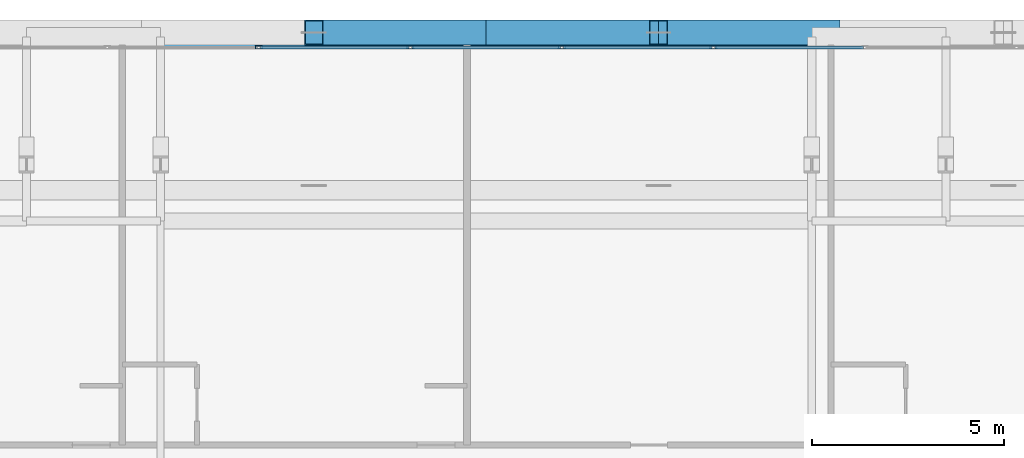
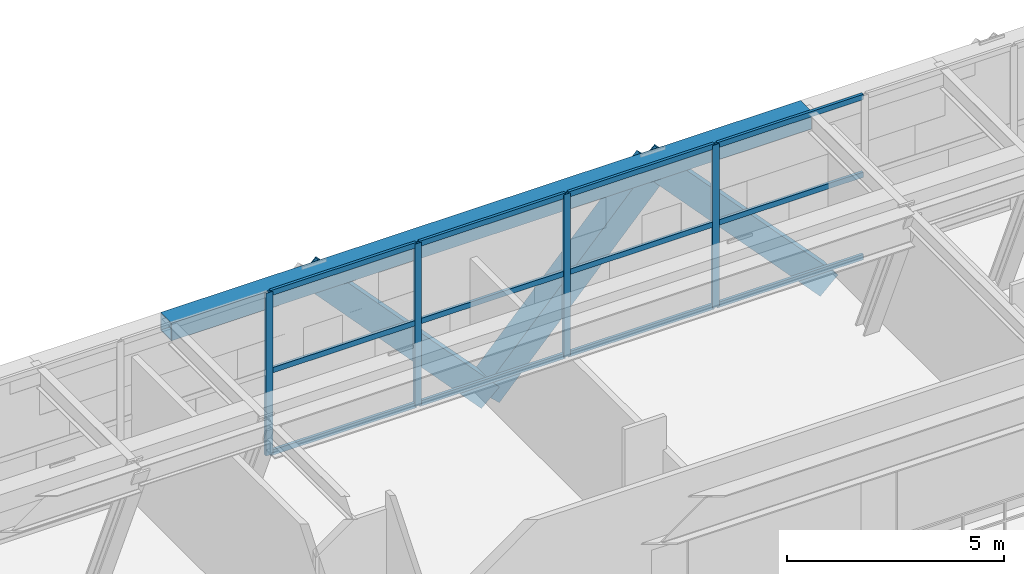
# One storey, part 20 of 35: 19 members, 1 beam, 1 element without a shape of its own.
"""IFC4 building model written with IfcOpenShell, lengths in metres."""

from ifc_helpers import new_model, si_unit, direction, frame, origin, origin_2d, place, context, subcontext, project, spatial, hollow_rectangle, extrude, source, transform, mapped, material, layer, layer_set, material_profile, profile_set, type_object, element, aggregate, save


model = new_model("IFC4")

# Units and contexts
model_context = context("Model", 3, precision=1e-05, world=origin(), true_north=direction((0.0, 1.0)))
body_context = subcontext(model_context, "Body", "Model", "MODEL_VIEW")
ifc_project = project(units=[si_unit("LENGTHUNIT", "METRE"), si_unit("AREAUNIT", "SQUARE_METRE"), si_unit("VOLUMEUNIT", "CUBIC_METRE"), si_unit("PLANEANGLEUNIT", "RADIAN"), si_unit("MASSUNIT", "GRAM", prefix="KILO")], contexts=[model_context])

# Site, building, storey
site_placement = place(None, origin())
site = spatial("IfcSite", under=ifc_project, at=site_placement, CompositionType="ELEMENT")
building_placement = place(site_placement, origin())
building = spatial("IfcBuilding", under=site, at=building_placement, Name="Ocotamira Hotel", CompositionType="ELEMENT")
storey_placement = place(building_placement, frame((0.0, 0.0, 158.39990234375)))
storey = spatial("IfcBuildingStorey", under=building, at=storey_placement, Name="L39", CompositionType="ELEMENT", Elevation=158.39990234375)

# Beam
ifc_material_1 = material(Name="Steel ASTM A500 Grade C", Category="steel")
ifc_material_profile_1 = material_profile(ifc_material_1, hollow_rectangle(XDim=0.5, YDim=0.5, WallThickness=0.02001953125, at=origin_2d()), Name="HSS500X500X20")
ifc_profile_set_1 = profile_set([ifc_material_profile_1], Name="Steel ASTM A500 Grade C")
beam_type = type_object("IfcBeamType", Name="BM-SPAN-HSS500", PredefinedType="USERDEFINED", material=ifc_profile_set_1)
shared_shape_1 = source(origin(), body_context, "Body", "SweptSolid", [
    extrude(hollow_rectangle(XDim=0.5, YDim=0.5, WallThickness=0.02001953125, at=origin_2d()), origin(), (0.0, 0.0, 1.0), 17.0),
])
beam_placement = place(storey_placement, frame((23.5, 49.85009765625, 4.320068359375), z_axis=(1.0, 0.0, 0.0), x_axis=(0.0, 1.0, 0.0)))
element("IfcBeam", 1, at=beam_placement, inside=storey, type_object=beam_type, Name="L39 Edge Spandrel N X23.5-40.5", ObjectType="SPANDREL", PredefinedType="USERDEFINED", context=body_context, shape_type="MappedRepresentation", body=[
    mapped(shared_shape_1, transform((0.0, 0.0, 0.0), scale=1.0)),
])

# Members
ifc_material_2 = material(Name="Pale-metal coated steel ASTM A913 Grade 65", Category="steel")
ifc_material_profile_2 = material_profile(ifc_material_2, hollow_rectangle(XDim=0.64990234375, YDim=0.64990234375, WallThickness=0.02197265625, at=origin_2d()), Name="BOX650X650X22")
ifc_profile_set_2 = profile_set([ifc_material_profile_2], Name="Pale-metal coated steel ASTM A913 Grade 65")
member_type_1 = type_object("IfcMemberType", Name="MEM-EXO-BOX650", PredefinedType="BRACE", material=ifc_profile_set_2)
shared_shape_2 = source(origin(), body_context, "Body", "SweptSolid", [
    extrude(hollow_rectangle(XDim=0.64990234375, YDim=0.64990234375, WallThickness=0.02197265625, at=origin_2d()), origin(), (0.0, 0.0, 1.0), 6.615966796875),
])
for number, where, z_axis, x_axis, name in (
    (2, (32.0, 49.969970703125, -0.52978515625), (-0.680172214763, 0.0, 0.73305235711), (0.0, -1.0, 0.0), "L39 Exoskeleton Diagrid N1.2"),
    (3, (32.0, 49.969970703125, -0.52978515625), (0.680172214763, 0.0, 0.73305235711), (0.0, 1.0, 0.0), "L39 Exoskeleton Diagrid N2.1"),
    (4, (41.0, 49.969970703125, -0.52978515625), (-0.680172214763, 0.0, 0.73305235711), (0.0, -1.0, 0.0), "L39 Exoskeleton Diagrid N2.2"),
):
    element("IfcMember", number, at=place(storey_placement, frame(where, z_axis=z_axis, x_axis=x_axis)), inside=storey, type_object=member_type_1, Name=name, PredefinedType="BRACE", context=body_context, shape_type="MappedRepresentation", body=[
        mapped(shared_shape_2, transform((0.0, 0.0, 0.0), scale=1.0)),
    ])

# Curtain wall, members
ifc_material_3 = material(Name="Anodised pale-metal aluminium and solar glass", Category="aluminium")
ifc_layer = layer(ifc_material_3, 0.239990234375)
ifc_layer_set = layer_set([ifc_layer], Name="Anodised pale-metal aluminium and solar glass")
curtain_wall_type = type_object("IfcCurtainWallType", Name="CW-SYS5-SKY", PredefinedType="NOTDEFINED", material=ifc_layer_set)
curtain_wall_placement = place(storey_placement, origin())
curtain_wall = element("IfcCurtainWall", 5, at=curtain_wall_placement, inside=storey, type_object=curtain_wall_type, Name="L39 Curtain Wall CW-5 CW-L39-N", PredefinedType="NOTDEFINED")
ifc_material_4 = material(Name="Anodised pale-metal aluminium 6063-T6", Category="aluminium")
ifc_material_profile_3 = material_profile(ifc_material_4, hollow_rectangle(XDim=0.074951171875, YDim=0.14990234375, WallThickness=0.006103515625, at=origin_2d()), Name="HSS150X75X6")
ifc_profile_set_3 = profile_set([ifc_material_profile_3], Name="Anodised pale-metal aluminium 6063-T6")
member_type_2 = type_object("IfcMemberType", Name="CWT-150X75", PredefinedType="USERDEFINED", material=ifc_profile_set_3)
shared_shape_3 = source(origin(), body_context, "Body", "SweptSolid", [
    extrude(hollow_rectangle(XDim=0.074951171875, YDim=0.14990234375, WallThickness=0.006103515625, at=origin_2d()), origin(), (0.0, 0.0, 1.0), 3.87548828125),
])
member_1_placement = place(storey_placement, frame((26.106689453125, 49.580078125, 0.03759765625), z_axis=(1.0, 0.0, 0.0), x_axis=(0.0, 1.0, 0.0)))
member_1 = element("IfcMember", 6, at=member_1_placement, type_object=member_type_2, Name="CW-5 transom 4.1", ObjectType="TRANSOM", PredefinedType="USERDEFINED", context=body_context, shape_type="MappedRepresentation", body=[
    mapped(shared_shape_3, transform((0.0, 0.0, 0.0), scale=1.0)),
])
member_2_placement = place(storey_placement, frame((26.106689453125, 49.580078125, 2.35009765625), z_axis=(1.0, 0.0, 0.0), x_axis=(0.0, 1.0, 0.0)))
member_2 = element("IfcMember", 7, at=member_2_placement, type_object=member_type_2, Name="CW-5 transom 4.2", ObjectType="TRANSOM", PredefinedType="USERDEFINED", context=body_context, shape_type="MappedRepresentation", body=[
    mapped(shared_shape_3, transform((0.0, 0.0, 0.0), scale=1.0)),
])
member_3_placement = place(storey_placement, frame((26.106689453125, 49.580078125, 4.53271484375), z_axis=(1.0, 0.0, 0.0), x_axis=(0.0, 1.0, 0.0)))
member_3 = element("IfcMember", 8, at=member_3_placement, type_object=member_type_2, Name="CW-5 transom 4.3", ObjectType="TRANSOM", PredefinedType="USERDEFINED", context=body_context, shape_type="MappedRepresentation", body=[
    mapped(shared_shape_3, transform((0.0, 0.0, 0.0), scale=1.0)),
])
member_4_placement = place(storey_placement, frame((30.062255859375, 49.580078125, 0.03759765625), z_axis=(1.0, 0.0, 0.0), x_axis=(0.0, 1.0, 0.0)))
member_4 = element("IfcMember", 9, at=member_4_placement, type_object=member_type_2, Name="CW-5 transom 5.1", ObjectType="TRANSOM", PredefinedType="USERDEFINED", context=body_context, shape_type="MappedRepresentation", body=[
    mapped(shared_shape_3, transform((0.0, 0.0, 0.0), scale=1.0)),
])
member_5_placement = place(storey_placement, frame((30.062255859375, 49.580078125, 2.35009765625), z_axis=(1.0, 0.0, 0.0), x_axis=(0.0, 1.0, 0.0)))
member_5 = element("IfcMember", 10, at=member_5_placement, type_object=member_type_2, Name="CW-5 transom 5.2", ObjectType="TRANSOM", PredefinedType="USERDEFINED", context=body_context, shape_type="MappedRepresentation", body=[
    mapped(shared_shape_3, transform((0.0, 0.0, 0.0), scale=1.0)),
])
member_6_placement = place(storey_placement, frame((30.062255859375, 49.580078125, 4.53271484375), z_axis=(1.0, 0.0, 0.0), x_axis=(0.0, 1.0, 0.0)))
member_6 = element("IfcMember", 11, at=member_6_placement, type_object=member_type_2, Name="CW-5 transom 5.3", ObjectType="TRANSOM", PredefinedType="USERDEFINED", context=body_context, shape_type="MappedRepresentation", body=[
    mapped(shared_shape_3, transform((0.0, 0.0, 0.0), scale=1.0)),
])
member_7_placement = place(storey_placement, frame((34.017822265625, 49.580078125, 0.03759765625), z_axis=(1.0, 0.0, 0.0), x_axis=(0.0, 1.0, 0.0)))
member_7 = element("IfcMember", 12, at=member_7_placement, type_object=member_type_2, Name="CW-5 transom 6.1", ObjectType="TRANSOM", PredefinedType="USERDEFINED", context=body_context, shape_type="MappedRepresentation", body=[
    mapped(shared_shape_3, transform((0.0, 0.0, 0.0), scale=1.0)),
])
member_8_placement = place(storey_placement, frame((34.017822265625, 49.580078125, 2.35009765625), z_axis=(1.0, 0.0, 0.0), x_axis=(0.0, 1.0, 0.0)))
member_8 = element("IfcMember", 13, at=member_8_placement, type_object=member_type_2, Name="CW-5 transom 6.2", ObjectType="TRANSOM", PredefinedType="USERDEFINED", context=body_context, shape_type="MappedRepresentation", body=[
    mapped(shared_shape_3, transform((0.0, 0.0, 0.0), scale=1.0)),
])
member_9_placement = place(storey_placement, frame((34.017822265625, 49.580078125, 4.53271484375), z_axis=(1.0, 0.0, 0.0), x_axis=(0.0, 1.0, 0.0)))
member_9 = element("IfcMember", 14, at=member_9_placement, type_object=member_type_2, Name="CW-5 transom 6.3", ObjectType="TRANSOM", PredefinedType="USERDEFINED", context=body_context, shape_type="MappedRepresentation", body=[
    mapped(shared_shape_3, transform((0.0, 0.0, 0.0), scale=1.0)),
])
member_10_placement = place(storey_placement, frame((37.973388671875, 49.580078125, 0.03759765625), z_axis=(1.0, 0.0, 0.0), x_axis=(0.0, 1.0, 0.0)))
member_10 = element("IfcMember", 15, at=member_10_placement, type_object=member_type_2, Name="CW-5 transom 7.1", ObjectType="TRANSOM", PredefinedType="USERDEFINED", context=body_context, shape_type="MappedRepresentation", body=[
    mapped(shared_shape_3, transform((0.0, 0.0, 0.0), scale=1.0)),
])
member_11_placement = place(storey_placement, frame((37.973388671875, 49.580078125, 2.35009765625), z_axis=(1.0, 0.0, 0.0), x_axis=(0.0, 1.0, 0.0)))
member_11 = element("IfcMember", 16, at=member_11_placement, type_object=member_type_2, Name="CW-5 transom 7.2", ObjectType="TRANSOM", PredefinedType="USERDEFINED", context=body_context, shape_type="MappedRepresentation", body=[
    mapped(shared_shape_3, transform((0.0, 0.0, 0.0), scale=1.0)),
])
member_12_placement = place(storey_placement, frame((37.973388671875, 49.580078125, 4.53271484375), z_axis=(1.0, 0.0, 0.0), x_axis=(0.0, 1.0, 0.0)))
member_12 = element("IfcMember", 17, at=member_12_placement, type_object=member_type_2, Name="CW-5 transom 7.3", ObjectType="TRANSOM", PredefinedType="USERDEFINED", context=body_context, shape_type="MappedRepresentation", body=[
    mapped(shared_shape_3, transform((0.0, 0.0, 0.0), scale=1.0)),
])
ifc_material_profile_4 = material_profile(ifc_material_4, hollow_rectangle(XDim=0.080078125, YDim=0.179931640625, WallThickness=0.006103515625, at=origin_2d()), Name="HSS180X80X6")
ifc_profile_set_4 = profile_set([ifc_material_profile_4], Name="Anodised pale-metal aluminium 6063-T6")
member_type_3 = type_object("IfcMemberType", Name="CWM-180X75", PredefinedType="MULLION", material=ifc_profile_set_4)
shared_shape_4 = source(origin(), body_context, "Body", "SweptSolid", [
    extrude(hollow_rectangle(XDim=0.080078125, YDim=0.179931640625, WallThickness=0.006103515625, at=origin_2d()), origin(), (0.0, 0.0, 1.0), 4.570068359375),
])
member_13_placement = place(storey_placement, frame((26.066650390625, 49.580078125, 0.0), z_axis=(0.0, 0.0, 1.0), x_axis=(0.0, 1.0, 0.0)))
member_13 = element("IfcMember", 18, at=member_13_placement, type_object=member_type_3, Name="CW-5 mullion 4", PredefinedType="MULLION", context=body_context, shape_type="MappedRepresentation", body=[
    mapped(shared_shape_4, transform((0.0, 0.0, 0.0), scale=1.0)),
])
member_14_placement = place(storey_placement, frame((30.022216796875, 49.580078125, 0.0), z_axis=(0.0, 0.0, 1.0), x_axis=(0.0, 1.0, 0.0)))
member_14 = element("IfcMember", 19, at=member_14_placement, type_object=member_type_3, Name="CW-5 mullion 5", PredefinedType="MULLION", context=body_context, shape_type="MappedRepresentation", body=[
    mapped(shared_shape_4, transform((0.0, 0.0, 0.0), scale=1.0)),
])
member_15_placement = place(storey_placement, frame((33.977783203125, 49.580078125, 0.0), z_axis=(0.0, 0.0, 1.0), x_axis=(0.0, 1.0, 0.0)))
member_15 = element("IfcMember", 20, at=member_15_placement, type_object=member_type_3, Name="CW-5 mullion 6", PredefinedType="MULLION", context=body_context, shape_type="MappedRepresentation", body=[
    mapped(shared_shape_4, transform((0.0, 0.0, 0.0), scale=1.0)),
])
member_16_placement = place(storey_placement, frame((37.933349609375, 49.580078125, 0.0), z_axis=(0.0, 0.0, 1.0), x_axis=(0.0, 1.0, 0.0)))
member_16 = element("IfcMember", 21, at=member_16_placement, type_object=member_type_3, Name="CW-5 mullion 7", PredefinedType="MULLION", context=body_context, shape_type="MappedRepresentation", body=[
    mapped(shared_shape_4, transform((0.0, 0.0, 0.0), scale=1.0)),
])
aggregate(curtain_wall, [member_13, member_14, member_15, member_16, member_1, member_2, member_3, member_4, member_5, member_6, member_7, member_8, member_9, member_10, member_11, member_12])

save(model, "model.ifc")
